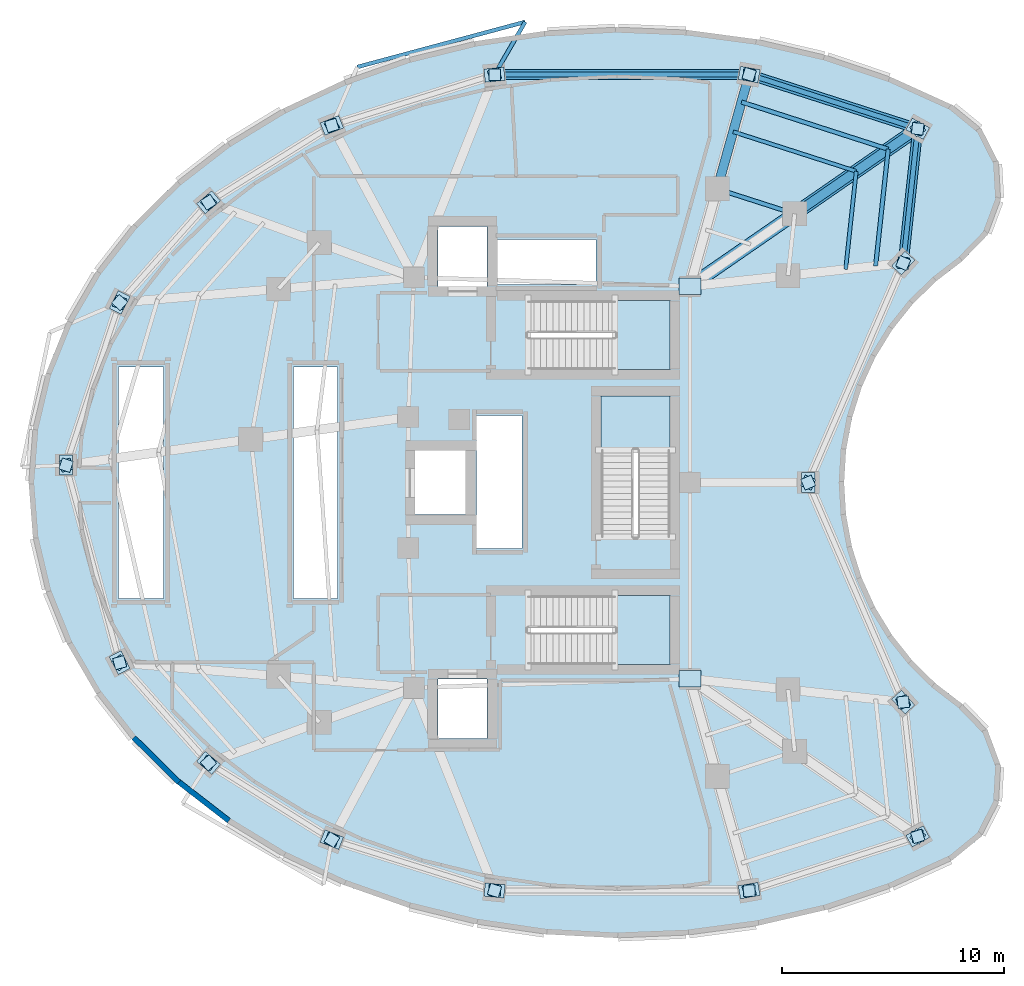
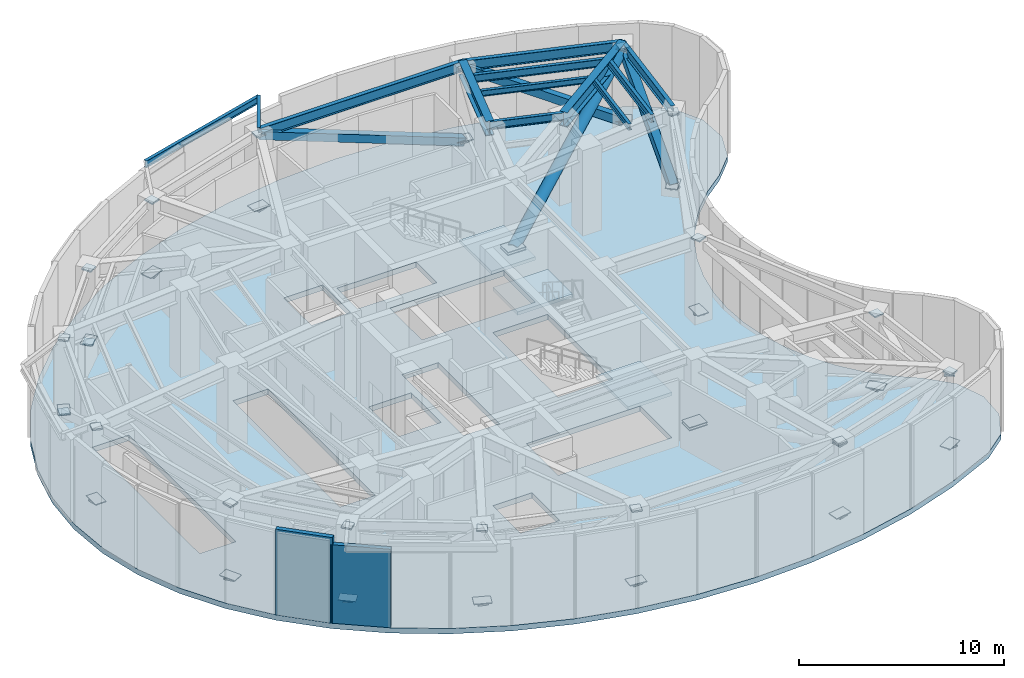
# One storey, part 3 of 10: 56 plates, 12 beams, 4 members, 4 slabs, 2 walls, 3 elements without a shape of their own.
"""IFC4 building model written with IfcOpenShell, lengths in metres."""

from ifc_helpers import new_model, si_unit, direction, frame, frame_2d, origin, origin_2d, place, context, subcontext, project, spatial, polyline, rectangle, hollow_rectangle, hollow_circle, i_section, outline, extrude, material, layer, layer_set, material_profile, profile_set, type_object, element, aggregate, save


model = new_model("IFC4")

# Units and contexts
model_context = context("Model", 3, precision=1e-05, world=origin(), true_north=direction((0.0, 1.0)))
body_context = subcontext(model_context, "Body", "Model", "MODEL_VIEW")
ifc_project = project(units=[si_unit("LENGTHUNIT", "METRE"), si_unit("AREAUNIT", "SQUARE_METRE"), si_unit("VOLUMEUNIT", "CUBIC_METRE"), si_unit("PLANEANGLEUNIT", "RADIAN"), si_unit("MASSUNIT", "GRAM", prefix="KILO")], contexts=[model_context])

# Site, building, storey
site_placement = place(None, origin())
site = spatial("IfcSite", under=ifc_project, at=site_placement, CompositionType="ELEMENT")
building_placement = place(site_placement, origin())
building = spatial("IfcBuilding", under=site, at=building_placement, Name="Korentha Bioscience Tower", CompositionType="ELEMENT")
storey_placement = place(building_placement, frame((0.0, 0.0, 148.800048828125)))
storey = spatial("IfcBuildingStorey", under=building, at=storey_placement, Name="L34", CompositionType="ELEMENT", Elevation=148.800048828125)

# Members
ifc_material_1 = material(Name="Steel S355", Category="steel")
ifc_material_profile_1 = material_profile(ifc_material_1, hollow_rectangle(XDim=0.449951171875, YDim=0.449951171875, WallThickness=0.02490234375, at=origin_2d()), Name="Steel S355")
ifc_profile_set_1 = profile_set([ifc_material_profile_1], Name="Steel S355 (BT-D450)")
member_type_1 = type_object("IfcMemberType", Name="Belt-Truss Web Diagonal SHS 450x450x25", PredefinedType="BRACE", material=ifc_profile_set_1)
member_1_placement = place(storey_placement, frame((47.821044921875, 42.95263671875, 0.349853515625), z_axis=(-0.833745069806, 0.268049749707, 0.482719887986), x_axis=(-0.306071547228, -0.952008512555, 0.0)))
element("IfcMember", 1, at=member_1_placement, inside=storey, type_object=member_type_1, Name="L34 Perimeter Belt-Truss Diagonal 01", PredefinedType="BRACE", context=body_context, shape_type="SweptSolid", body=[
    extrude(hollow_rectangle(XDim=0.449951171875, YDim=0.449951171875, WallThickness=0.02490234375, at=origin_2d()), origin(), (0.0, 0.0, 1.0), 9.115234375),
])
member_2_placement = place(storey_placement, frame((40.22119140625, 45.39599609375, 0.349853515625), z_axis=(-0.933777758874, -0.000456673296, 0.357853166093), x_axis=(0.000489059883, -0.99999988041, 0.0)))
element("IfcMember", 2, at=member_2_placement, inside=storey, type_object=member_type_1, Name="L34 Perimeter Belt-Truss Diagonal 02", PredefinedType="BRACE", context=body_context, shape_type="SweptSolid", body=[
    extrude(hollow_rectangle(XDim=0.449951171875, YDim=0.449951171875, WallThickness=0.02490234375, at=origin_2d()), origin(), (0.0, 0.0, 1.0), 12.2958984375),
])
member_3_placement = place(storey_placement, frame((47.16748046875, 36.89794921875, 0.349853515625), z_axis=(0.086989210422, 0.805876884003, 0.585658027435), x_axis=(-0.994224517574, 0.10732012232, 0.0)))
element("IfcMember", 3, at=member_3_placement, inside=storey, type_object=member_type_1, Name="L34 Perimeter Belt-Truss Diagonal 16", PredefinedType="BRACE", context=body_context, shape_type="SweptSolid", body=[
    extrude(hollow_rectangle(XDim=0.449951171875, YDim=0.449951171875, WallThickness=0.02490234375, at=origin_2d()), origin(), (0.0, 0.0, 1.0), 7.51318359375),
])

# Beam
ifc_material_profile_2 = material_profile(ifc_material_1, i_section(OverallWidth=0.18994140625, OverallDepth=0.45703125, WebThickness=0.009033203125, FlangeThickness=0.014404296875, at=origin_2d()), Name="Steel S355")
ifc_profile_set_2 = profile_set([ifc_material_profile_2], Name="Steel S355 (MB-460)")
beam_type_1 = type_object("IfcBeamType", Name="Mid-Ring Tie Girder W460x74", PredefinedType="BEAM", material=ifc_profile_set_2)
beam_1_placement = place(storey_placement, frame((42.274658203125, 39.1171875, 4.871337890625), z_axis=(-0.952000195343, 0.306097415976, 0.0), x_axis=(-0.306097415976, -0.952000195343, 0.0)))
element("IfcBeam", 4, at=beam_1_placement, inside=storey, type_object=beam_type_1, Name="L34 Mid-Ring Tie Girder 01", PredefinedType="BEAM", context=body_context, shape_type="SweptSolid", body=[
    extrude(i_section(OverallWidth=0.18994140625, OverallDepth=0.45703125, WebThickness=0.009033203125, FlangeThickness=0.014404296875, at=origin_2d()), origin(), (0.0, 0.0, 1.0), 3.672119140625),
])

# Member
ifc_material_profile_3 = material_profile(ifc_material_1, hollow_circle(Radius=0.304931640625, WallThickness=0.030029296875, at=origin_2d()), Name="Steel S355")
ifc_profile_set_3 = profile_set([ifc_material_profile_3], Name="Steel S355 (OU-610)")
member_type_2 = type_object("IfcMemberType", Name="Outrigger Diagonal Brace CHS 610x30", PredefinedType="USERDEFINED", material=ifc_profile_set_3)
member_4_placement = place(storey_placement, frame((37.550048828125, 35.85009765625, 0.599853515625), z_axis=(0.782377945958, 0.541025414876, 0.308506483135), x_axis=(-0.568768676895, 0.822497533238, 0.0)))
element("IfcMember", 5, at=member_4_placement, inside=storey, type_object=member_type_2, Name="L34 Outrigger Truss Diagonal 01", ObjectType="OUTRIGGER", PredefinedType="USERDEFINED", context=body_context, shape_type="SweptSolid", body=[
    extrude(hollow_circle(Radius=0.304931640625, WallThickness=0.030029296875, at=origin_2d()), origin(), (0.0, 0.0, 1.0), 13.1279296875),
])

# Beams
ifc_material_profile_4 = material_profile(ifc_material_1, i_section(OverallWidth=0.22802734375, OverallDepth=0.60791015625, WebThickness=0.01123046875, FlangeThickness=0.017333984375, at=origin_2d()), Name="Steel S355")
ifc_profile_set_4 = profile_set([ifc_material_profile_4], Name="Steel S355 (SB-610)")
beam_type_2 = type_object("IfcBeamType", Name="Perimeter Ring Spandrel Girder W610x113", PredefinedType="SPANDREL", material=ifc_profile_set_4)
beam_2_placement = place(storey_placement, frame((47.821044921875, 42.95263671875, 4.7958984375), z_axis=(-0.952008512555, 0.306071547228, 0.0), x_axis=(-0.306071547228, -0.952008512555, 0.0)))
element("IfcBeam", 6, at=beam_2_placement, inside=storey, type_object=beam_type_2, Name="L34 Perimeter Spandrel Girder 01", PredefinedType="SPANDREL", context=body_context, shape_type="SweptSolid", body=[
    extrude(i_section(OverallWidth=0.22802734375, OverallDepth=0.60791015625, WebThickness=0.01123046875, FlangeThickness=0.017333984375, at=origin_2d()), origin(), (0.0, 0.0, 1.0), 7.98291015625),
])
beam_3_placement = place(storey_placement, frame((40.22119140625, 45.39599609375, 4.7958984375), z_axis=(-0.99999988041, -0.000489059883, 0.0), x_axis=(0.000489059883, -0.99999988041, 0.0)))
element("IfcBeam", 7, at=beam_3_placement, inside=storey, type_object=beam_type_2, Name="L34 Perimeter Spandrel Girder 02", PredefinedType="SPANDREL", context=body_context, shape_type="SweptSolid", body=[
    extrude(i_section(OverallWidth=0.22802734375, OverallDepth=0.60791015625, WebThickness=0.01123046875, FlangeThickness=0.017333984375, at=origin_2d()), origin(), (0.0, 0.0, 1.0), 11.481689453125),
])
beam_4_placement = place(storey_placement, frame((47.16748046875, 36.89794921875, 4.7958984375), z_axis=(0.10732012232, 0.994224517574, 0.0), x_axis=(-0.994224517574, 0.10732012232, 0.0)))
element("IfcBeam", 8, at=beam_4_placement, inside=storey, type_object=beam_type_2, Name="L34 Perimeter Spandrel Girder 16", PredefinedType="SPANDREL", context=body_context, shape_type="SweptSolid", body=[
    extrude(i_section(OverallWidth=0.22802734375, OverallDepth=0.60791015625, WebThickness=0.01123046875, FlangeThickness=0.017333984375, at=origin_2d()), origin(), (0.0, 0.0, 1.0), 6.08984375),
])
ifc_material_profile_5 = material_profile(ifc_material_1, i_section(OverallWidth=0.419921875, OverallDepth=0.85009765625, WebThickness=0.01806640625, FlangeThickness=0.031982421875, at=origin_2d()), Name="Steel S355")
ifc_profile_set_5 = profile_set([ifc_material_profile_5], Name="Steel S355 (MB-850)")
beam_type_3 = type_object("IfcBeamType", Name="Plant Heavy Girder CVS 850x315", PredefinedType="BEAM", material=ifc_profile_set_5)
beam_5_placement = place(storey_placement, frame((42.274658203125, 39.1171875, 4.675048828125), z_axis=(0.822494455845, 0.568773127094, 0.0), x_axis=(-0.568773127094, 0.822494455845, 0.0)))
element("IfcBeam", 9, at=beam_5_placement, inside=storey, type_object=beam_type_3, Name="L34 Outer Radial Girder 01", PredefinedType="BEAM", context=body_context, shape_type="SweptSolid", body=[
    extrude(i_section(OverallWidth=0.419921875, OverallDepth=0.85009765625, WebThickness=0.01806640625, FlangeThickness=0.031982421875, at=origin_2d()), origin(), (0.0, 0.0, 1.0), 6.743408203125),
])
beam_6_placement = place(storey_placement, frame((38.77880859375, 40.2412109375, 4.675048828125), z_axis=(0.269464128344, 0.963010427532, 0.0), x_axis=(-0.963010427532, 0.269464128344, 0.0)))
element("IfcBeam", 10, at=beam_6_placement, inside=storey, type_object=beam_type_3, Name="L34 Outer Radial Girder 02", PredefinedType="BEAM", context=body_context, shape_type="SweptSolid", body=[
    extrude(i_section(OverallWidth=0.419921875, OverallDepth=0.85009765625, WebThickness=0.01806640625, FlangeThickness=0.031982421875, at=origin_2d()), origin(), (0.0, 0.0, 1.0), 5.352783203125),
])
ifc_material_profile_6 = material_profile(ifc_material_1, i_section(OverallWidth=0.18994140625, OverallDepth=0.45703125, WebThickness=0.009033203125, FlangeThickness=0.014404296875, at=origin_2d()), Name="Steel S355")
ifc_profile_set_6 = profile_set([ifc_material_profile_6], Name="Steel S355 (RB-460)")
beam_type_4 = type_object("IfcBeamType", Name="Radial Laboratory Beam W460x74", PredefinedType="BEAM", material=ifc_profile_set_6)
beam_7_placement = place(storey_placement, frame((46.489990234375, 42.031982421875, 4.871337890625), z_axis=(-0.952009183817, 0.306069459318, 0.0), x_axis=(-0.306069459318, -0.952009183817, 0.0)))
element("IfcBeam", 11, at=beam_7_placement, inside=storey, type_object=beam_type_4, Name="L34 Secondary Floor Beam JSTO-01", PredefinedType="BEAM", context=body_context, shape_type="SweptSolid", body=[
    extrude(i_section(OverallWidth=0.18994140625, OverallDepth=0.45703125, WebThickness=0.009033203125, FlangeThickness=0.014404296875, at=origin_2d()), origin(), (0.0, 0.0, 1.0), 6.948486328125),
])
beam_8_placement = place(storey_placement, frame((45.921142578125, 36.76220703125, 4.871337890625), z_axis=(0.107321875607, 0.994224328316, 0.0), x_axis=(-0.994224328316, 0.107321875607, 0.0)))
element("IfcBeam", 12, at=beam_8_placement, inside=storey, type_object=beam_type_4, Name="L34 Secondary Floor Beam JSTO-16", PredefinedType="BEAM", context=body_context, shape_type="SweptSolid", body=[
    extrude(i_section(OverallWidth=0.18994140625, OverallDepth=0.45703125, WebThickness=0.009033203125, FlangeThickness=0.014404296875, at=origin_2d()), origin(), (0.0, 0.0, 1.0), 5.30029296875),
])
ifc_material_profile_7 = material_profile(ifc_material_1, i_section(OverallWidth=0.1708984375, OverallDepth=0.35498046875, WebThickness=0.007080078125, FlangeThickness=0.01171875, at=origin_2d()), Name="Steel S355")
ifc_profile_set_7 = profile_set([ifc_material_profile_7], Name="Steel S355 (JB-360)")
beam_type_5 = type_object("IfcBeamType", Name="Secondary Laboratory Joist W360x51", PredefinedType="JOIST", material=ifc_profile_set_7)
beam_9_placement = place(storey_placement, frame((45.0478515625, 41.034912109375, 4.92236328125), z_axis=(-0.952005892166, 0.306079697596, 0.0), x_axis=(-0.306079697596, -0.952005892166, 0.0)))
element("IfcBeam", 13, at=beam_9_placement, inside=storey, type_object=beam_type_5, Name="L34 Secondary Floor Beam JST-01", PredefinedType="JOIST", context=body_context, shape_type="SweptSolid", body=[
    extrude(i_section(OverallWidth=0.1708984375, OverallDepth=0.35498046875, WebThickness=0.007080078125, FlangeThickness=0.01171875, at=origin_2d()), origin(), (0.0, 0.0, 1.0), 5.82763671875),
])
beam_10_placement = place(storey_placement, frame((44.57080078125, 36.614990234375, 4.92236328125), z_axis=(0.107308722475, 0.994225748048, 0.0), x_axis=(-0.994225748048, 0.107308722475, 0.0)))
element("IfcBeam", 14, at=beam_10_placement, inside=storey, type_object=beam_type_5, Name="L34 Secondary Floor Beam JST-16", PredefinedType="JOIST", context=body_context, shape_type="SweptSolid", body=[
    extrude(i_section(OverallWidth=0.1708984375, OverallDepth=0.35498046875, WebThickness=0.007080078125, FlangeThickness=0.01171875, at=origin_2d()), origin(), (0.0, 0.0, 1.0), 4.445556640625),
])
ifc_material_profile_8 = material_profile(ifc_material_1, i_section(OverallWidth=0.177978515625, OverallDepth=0.406982421875, WebThickness=0.0078125, FlangeThickness=0.0126953125, at=origin_2d()), Name="Steel S355")
ifc_profile_set_8 = profile_set([ifc_material_profile_8], Name="Steel S355 (CB-410)")
beam_type_6 = type_object("IfcBeamType", Name="Sun-Ledge Cantilever Beam W410x60", PredefinedType="BEAM", material=ifc_profile_set_8)
beam_11_placement = place(storey_placement, frame((28.739501953125, 45.390380859375, 4.8984375), z_axis=(0.502315224283, 0.8646845757, 0.0), x_axis=(-0.8646845757, 0.502315224283, 0.0)))
element("IfcBeam", 15, at=beam_11_placement, inside=storey, type_object=beam_type_6, Name="L34 Balcony Cantilever Bracket A-L35-01", PredefinedType="BEAM", context=body_context, shape_type="SweptSolid", body=[
    extrude(i_section(OverallWidth=0.177978515625, OverallDepth=0.406982421875, WebThickness=0.0078125, FlangeThickness=0.0126953125, at=origin_2d()), origin(), (0.0, 0.0, 1.0), 2.7529296875),
])
beam_12_placement = place(storey_placement, frame((30.122314453125, 47.770751953125, 4.8984375), z_axis=(-0.965767136539, -0.259410558731, 0.0), x_axis=(0.259410558731, -0.965767136539, 0.0)))
element("IfcBeam", 16, at=beam_12_placement, inside=storey, type_object=beam_type_6, Name="L34 Balcony Edge Trimmer Beam L35-01", PredefinedType="BEAM", context=body_context, shape_type="SweptSolid", body=[
    extrude(i_section(OverallWidth=0.177978515625, OverallDepth=0.406982421875, WebThickness=0.0078125, FlangeThickness=0.0126953125, at=origin_2d()), origin(), (0.0, 0.0, 1.0), 7.839599609375),
])

# Plates
ifc_layer_1 = layer(ifc_material_1, 0.031982421875, Name="Steel S355")
ifc_layer_set_1 = layer_set([ifc_layer_1], Name="Steel S355 (KN-01)")
plate_type_1 = type_object("IfcPlateType", Name="Belt-Truss Kink Gusset Plate 900x600x32", PredefinedType="USERDEFINED", material=ifc_layer_set_1)
for number, where, z_axis, x_axis, name in (
    (17, (47.821044921875, 42.95263671875, 0.43408203125), (0.0, 0.0, 1.0), (-0.874535078577, 0.484962262797, 0.0), "L34 Belt-Truss Kink Node Gusset KN-01"),
    (18, (40.22119140625, 45.39599609375, 0.43408203125), (0.0, 0.0, 1.0), (-0.984868307662, 0.173304404339, 0.0), "L34 Belt-Truss Kink Node Gusset KN-02"),
    (19, (28.739501953125, 45.390380859375, 0.43408203125), (0.0, 0.0, 1.0), (0.995462868748, 0.095150811579, 0.0), "L34 Belt-Truss Kink Node Gusset KN-03"),
    (20, (21.405517578125, 43.102783203125, 0.43408203125), (0.0, 0.0, 1.0), (0.930225540858, 0.366988341962, 0.0), "L34 Belt-Truss Kink Node Gusset KN-04"),
    (21, (15.843994140625, 39.63671875, 0.43408203125), (0.0, 0.0, 1.0), (0.764246456939, 0.644924300253, 0.0), "L34 Belt-Truss Kink Node Gusset KN-05"),
    (22, (11.837890625, 35.119384765625, 0.43408203125), (0.0, 0.0, 1.0), (0.453057191132, 0.891481453292, 0.0), "L34 Belt-Truss Kink Node Gusset KN-06"),
    (23, (9.422607421875, 27.785888671875, 0.43408203125), (0.0, 0.0, 1.0), (0.0, 1.0, 0.0), "L34 Belt-Truss Kink Node Gusset KN-07"),
    (24, (11.837890625, 18.880615234375, 0.43408203125), (0.0, 0.0, 1.0), (-0.453057191132, 0.891481453292, 0.0), "L34 Belt-Truss Kink Node Gusset KN-08"),
    (25, (15.843994140625, 14.36328125, 0.43408203125), (0.0, 0.0, 1.0), (-0.764246456939, 0.644924300253, 0.0), "L34 Belt-Truss Kink Node Gusset KN-09"),
    (26, (21.405517578125, 10.897216796875, 0.43408203125), (0.0, 0.0, 1.0), (-0.930225540858, 0.366988341962, 0.0), "L34 Belt-Truss Kink Node Gusset KN-10"),
    (27, (28.739501953125, 8.609619140625, 0.43408203125), (0.0, 0.0, 1.0), (-0.995462868748, 0.095150811579, 0.0), "L34 Belt-Truss Kink Node Gusset KN-11"),
    (28, (40.22119140625, 8.60400390625, 0.43408203125), (0.0, 0.0, 1.0), (0.984868307662, 0.173304404339, 0.0), "L34 Belt-Truss Kink Node Gusset KN-12"),
    (29, (47.821044921875, 11.04736328125, 0.43408203125), (0.0, 0.0, 1.0), (0.874535078577, 0.484962262797, 0.0), "L34 Belt-Truss Kink Node Gusset KN-13"),
    (30, (47.16748046875, 17.10205078125, 0.43408203125), (0.0, 0.0, 1.0), (-0.669130606359, 0.743144825477, 0.0), "L34 Belt-Truss Kink Node Gusset KN-14"),
    (31, (42.8818359375, 27.0, 0.43408203125), (0.0, 0.0, 1.0), (0.0, 1.0, 0.0), "L34 Belt-Truss Kink Node Gusset KN-15"),
    (32, (47.16748046875, 36.89794921875, 0.43408203125), (0.0, 0.0, 1.0), (0.669130606359, 0.743144825477, 0.0), "L34 Belt-Truss Kink Node Gusset KN-16"),
):
    element("IfcPlate", number, at=place(storey_placement, frame(where, z_axis=z_axis, x_axis=x_axis)), inside=storey, type_object=plate_type_1, Name=name, ObjectType="GUSSET_PLATE", PredefinedType="USERDEFINED", context=body_context, shape_type="SweptSolid", body=[
        extrude(rectangle(XDim=0.89990234375, YDim=0.60009765625, at=origin_2d()), origin(), (0.0, 0.0, 1.0), 0.031982421875),
    ])
ifc_layer_2 = layer(ifc_material_1, 0.080078125, Name="Steel S355")
ifc_layer_set_2 = layer_set([ifc_layer_2], Name="Steel S355 (CP-01)")
plate_type_2 = type_object("IfcPlateType", Name="Hollow Section End Cap Plate 520x520x80", PredefinedType="USERDEFINED", material=ifc_layer_set_2)
for number, where, z_axis, x_axis, name in (
    (33, (47.821044921875, 42.95263671875, 0.309814453125), (0.0, 0.0, 1.0), (-0.952022626946, 0.306027642189, 0.0), "L34 Belt-Truss 01 End Cap 1"),
    (34, (40.22119140625, 45.39599609375, 4.7099609375), (0.0, 0.0, 1.0), (-0.952022626946, 0.306027642189, 0.0), "L34 Belt-Truss 01 End Cap 2"),
    (35, (40.22119140625, 45.39599609375, 0.309814453125), (0.0, 0.0, 1.0), (0.999999862922, 0.000523598752, 0.0), "L34 Belt-Truss 02 End Cap 1"),
    (36, (28.739501953125, 45.390380859375, 4.7099609375), (0.0, 0.0, 1.0), (0.999999862922, 0.000523598752, 0.0), "L34 Belt-Truss 02 End Cap 2"),
    (37, (28.739501953125, 45.390380859375, 0.309814453125), (0.0, 0.0, 1.0), (0.954656937924, 0.297708130344, 0.0), "L34 Belt-Truss 03 End Cap 1"),
    (38, (21.405517578125, 43.102783203125, 4.7099609375), (0.0, 0.0, 1.0), (0.954656937924, 0.297708130344, 0.0), "L34 Belt-Truss 03 End Cap 2"),
    (39, (21.405517578125, 43.102783203125, 0.309814453125), (0.0, 0.0, 1.0), (0.848694881602, 0.528882782801, 0.0), "L34 Belt-Truss 04 End Cap 1"),
    (40, (15.843994140625, 39.63671875, 4.7099609375), (0.0, 0.0, 1.0), (0.848694881602, 0.528882782801, 0.0), "L34 Belt-Truss 04 End Cap 2"),
    (41, (15.843994140625, 39.63671875, 0.309814453125), (0.0, 0.0, 1.0), (0.663534575496, 0.748145618928, 0.0), "L34 Belt-Truss 05 End Cap 1"),
    (42, (11.837890625, 35.119384765625, 4.7099609375), (0.0, 0.0, 1.0), (0.663534575496, 0.748145618928, 0.0), "L34 Belt-Truss 05 End Cap 2"),
    (43, (11.837890625, 35.119384765625, 0.309814453125), (0.0, 0.0, 1.0), (0.312832279878, 0.949808383131, 0.0), "L34 Belt-Truss 06 End Cap 1"),
    (44, (9.422607421875, 27.785888671875, 4.7099609375), (0.0, 0.0, 1.0), (0.312832279878, 0.949808383131, 0.0), "L34 Belt-Truss 06 End Cap 2"),
    (45, (9.422607421875, 27.785888671875, 0.309814453125), (0.0, 0.0, 1.0), (-0.261683861269, 0.965153644117, 0.0), "L34 Belt-Truss 07 End Cap 1"),
    (46, (11.837890625, 18.880615234375, 4.7099609375), (0.0, 0.0, 1.0), (-0.261683861269, 0.965153644117, 0.0), "L34 Belt-Truss 07 End Cap 2"),
    (47, (11.837890625, 18.880615234375, 0.309814453125), (0.0, 0.0, 1.0), (-0.663534575496, 0.748145618928, 0.0), "L34 Belt-Truss 08 End Cap 1"),
    (48, (15.843994140625, 14.36328125, 4.7099609375), (0.0, 0.0, 1.0), (-0.663534575496, 0.748145618928, 0.0), "L34 Belt-Truss 08 End Cap 2"),
    (49, (15.843994140625, 14.36328125, 0.309814453125), (0.0, 0.0, 1.0), (-0.848694881602, 0.528882782801, 0.0), "L34 Belt-Truss 09 End Cap 1"),
    (50, (21.405517578125, 10.897216796875, 4.7099609375), (0.0, 0.0, 1.0), (-0.848694881602, 0.528882782801, 0.0), "L34 Belt-Truss 09 End Cap 2"),
    (51, (21.405517578125, 10.897216796875, 0.309814453125), (0.0, 0.0, 1.0), (-0.954656937924, 0.297708130344, 0.0), "L34 Belt-Truss 10 End Cap 1"),
    (52, (28.739501953125, 8.609619140625, 4.7099609375), (0.0, 0.0, 1.0), (-0.954656937924, 0.297708130344, 0.0), "L34 Belt-Truss 10 End Cap 2"),
    (53, (28.739501953125, 8.609619140625, 0.309814453125), (0.0, 0.0, 1.0), (-0.999999862922, 0.000523598752, 0.0), "L34 Belt-Truss 11 End Cap 1"),
    (54, (40.22119140625, 8.60400390625, 4.7099609375), (0.0, 0.0, 1.0), (-0.999999862922, 0.000523598752, 0.0), "L34 Belt-Truss 11 End Cap 2"),
    (55, (40.22119140625, 8.60400390625, 0.309814453125), (0.0, 0.0, 1.0), (0.952022626946, 0.306027642189, 0.0), "L34 Belt-Truss 12 End Cap 1"),
    (56, (47.821044921875, 11.04736328125, 4.7099609375), (0.0, 0.0, 1.0), (0.952022626946, 0.306027642189, 0.0), "L34 Belt-Truss 12 End Cap 2"),
    (57, (47.821044921875, 11.04736328125, 0.309814453125), (0.0, 0.0, 1.0), (-0.10730528114, 0.994226119472, 0.0), "L34 Belt-Truss 13 End Cap 1"),
    (58, (47.16748046875, 17.10205078125, 4.7099609375), (0.0, 0.0, 1.0), (-0.10730528114, 0.994226119472, 0.0), "L34 Belt-Truss 13 End Cap 2"),
    (59, (47.16748046875, 17.10205078125, 0.309814453125), (0.0, 0.0, 1.0), (-0.397308062984, 0.917685296323, 0.0), "L34 Belt-Truss 14 End Cap 1"),
    (60, (42.8818359375, 27.0, 4.7099609375), (0.0, 0.0, 1.0), (-0.397308062984, 0.917685296323, 0.0), "L34 Belt-Truss 14 End Cap 2"),
    (61, (42.8818359375, 27.0, 0.309814453125), (0.0, 0.0, 1.0), (0.397308062984, 0.917685296323, 0.0), "L34 Belt-Truss 15 End Cap 1"),
    (62, (47.16748046875, 36.89794921875, 4.7099609375), (0.0, 0.0, 1.0), (0.397308062984, 0.917685296323, 0.0), "L34 Belt-Truss 15 End Cap 2"),
    (63, (47.16748046875, 36.89794921875, 0.309814453125), (0.0, 0.0, 1.0), (0.10730528114, 0.994226119472, 0.0), "L34 Belt-Truss 16 End Cap 1"),
    (64, (47.821044921875, 42.95263671875, 4.7099609375), (0.0, 0.0, 1.0), (0.10730528114, 0.994226119472, 0.0), "L34 Belt-Truss 16 End Cap 2"),
    (65, (47.821044921875, 42.95263671875, 4.60986328125), (0.0, 0.0, 1.0), (0.822541272729, 0.56870541993, 0.0), "L34 Outrigger 01 End Cap 2"),
    (66, (40.22119140625, 45.39599609375, 4.60986328125), (0.0, 0.0, 1.0), (0.26942409447, 0.963021628687, 0.0), "L34 Outrigger 02 End Cap 2"),
    (67, (40.22119140625, 8.60400390625, 4.60986328125), (0.0, 0.0, 1.0), (-0.26942409447, 0.963021628687, 0.0), "L34 Outrigger 03 End Cap 2"),
    (68, (47.821044921875, 11.04736328125, 4.60986328125), (0.0, 0.0, 1.0), (-0.822541272729, 0.56870541993, 0.0), "L34 Outrigger 04 End Cap 2"),
):
    element("IfcPlate", number, at=place(storey_placement, frame(where, z_axis=z_axis, x_axis=x_axis)), inside=storey, type_object=plate_type_2, Name=name, ObjectType="CAP_PLATE", PredefinedType="USERDEFINED", context=body_context, shape_type="SweptSolid", body=[
        extrude(rectangle(XDim=0.52001953125, YDim=0.52001953125, at=origin_2d()), origin(), (0.0, 0.0, 1.0), 0.080078125),
    ])

# Stair, slab
ifc_material_2 = material(Name="Precast Concrete C50", Category="concrete")
stair_type = type_object("IfcStairType", Name="Core Exit Dog-Leg Stair 1450", PredefinedType="HALF_TURN_STAIR", material=ifc_material_2)
stair_1_placement = place(storey_placement, origin())
stair_1 = element("IfcStair", 69, at=stair_1_placement, inside=storey, type_object=stair_type, Name="L34 Tower North Pressurized Exit Stair ST-1", PredefinedType="HALF_TURN_STAIR")
ifc_material_3 = material(Name="Concrete C50", Category="concrete")
ifc_layer_3 = layer(ifc_material_3, 0.199951171875, Name="Concrete C50")
ifc_layer_set_3 = layer_set([ifc_layer_3], Name="Concrete C50 (SL-LND)")
slab_type_1 = type_object("IfcSlabType", Name="Landing Slab 200", PredefinedType="LANDING", material=ifc_layer_set_3)
slab_1_placement = place(storey_placement, frame((0.0, 0.0, 2.5)))
slab_1 = element("IfcSlab", 70, at=slab_1_placement, type_object=slab_type_1, Name="ST-1 landing 1", PredefinedType="LANDING", context=body_context, shape_type="SweptSolid", body=[
    extrude(outline(polyline([(34.169921875, 32.10009765625), (36.64990234375, 32.10009765625), (36.64990234375, 35.199951171875), (34.169921875, 35.199951171875), (34.169921875, 32.10009765625)])), origin(), (0.0, 0.0, 1.0), 0.199951171875),
])
aggregate(stair_1, [slab_1])

stair_2_placement = place(storey_placement, origin())
stair_2 = element("IfcStair", 71, at=stair_2_placement, inside=storey, type_object=stair_type, Name="L34 Tower South Pressurized Exit Stair ST-2", PredefinedType="HALF_TURN_STAIR")
slab_2_placement = place(storey_placement, frame((0.0, 0.0, 2.5)))
slab_2 = element("IfcSlab", 72, at=slab_2_placement, type_object=slab_type_1, Name="ST-2 landing 1", PredefinedType="LANDING", context=body_context, shape_type="SweptSolid", body=[
    extrude(outline(polyline([(34.169921875, 18.800048828125), (36.64990234375, 18.800048828125), (36.64990234375, 21.89990234375), (34.169921875, 21.89990234375), (34.169921875, 18.800048828125)])), origin(), (0.0, 0.0, 1.0), 0.199951171875),
])
aggregate(stair_2, [slab_2])

stair_3_placement = place(storey_placement, origin())
stair_3 = element("IfcStair", 73, at=stair_3_placement, inside=storey, type_object=stair_type, Name="L34 Tower Central Pressurized Exit Stair ST-3", PredefinedType="HALF_TURN_STAIR")
slab_3_placement = place(storey_placement, frame((0.0, 0.0, 2.5)))
slab_3 = element("IfcSlab", 74, at=slab_3_placement, type_object=slab_type_1, Name="ST-3 landing 1", PredefinedType="LANDING", context=body_context, shape_type="SweptSolid", body=[
    extrude(outline(polyline([(36.64990234375, 28.469970703125), (36.64990234375, 30.89990234375), (33.550048828125, 30.89990234375), (33.550048828125, 28.469970703125), (36.64990234375, 28.469970703125)])), origin(), (0.0, 0.0, 1.0), 0.199951171875),
])
aggregate(stair_3, [slab_3])

# Slab
ifc_layer_4 = layer(ifc_material_3, 0.320068359375, Name="Concrete C50")
ifc_layer_set_4 = layer_set([ifc_layer_4], Name="Concrete C50 (SL-M320)")
slab_type_2 = type_object("IfcSlabType", Name="Mechanical Plant Heavy Slab 320", PredefinedType="FLOOR", material=ifc_layer_set_4)
slab_4_placement = place(storey_placement, frame((0.0, 0.0, -0.320068359375)))
element("IfcSlab", 75, at=slab_4_placement, inside=storey, type_object=slab_type_2, Name="L34 Tower Structural Floor Slab", PredefinedType="FLOOR", context=body_context, shape_type="SweptSolid", body=[
    extrude(outline(polyline([(49.38525390625, 44.021728515625), (46.62109375, 45.27587890625), (43.681396484375, 46.266357421875), (40.608154296875, 46.978515625), (37.446044921875, 47.40234375), (34.24072265625, 47.531494140625), (31.038330078125, 47.364013671875), (27.88525390625, 46.902587890625), (24.826904296875, 46.154052734375), (21.907470703125, 45.128662109375), (19.169189453125, 43.841552734375), (16.6513671875, 42.311279296875), (14.390380859375, 40.56005859375), (12.419189453125, 38.613037109375), (10.76611328125, 36.498291015625), (9.454833984375, 34.246337890625), (8.504638671875, 31.889892578125), (7.9287109375, 29.462646484375), (7.736083984375, 27.0), (7.9287109375, 24.537353515625), (8.504638671875, 22.110107421875), (9.454833984375, 19.753662109375), (10.76611328125, 17.501708984375), (12.419189453125, 15.386962890625), (14.390380859375, 13.43994140625), (16.6513671875, 11.688720703125), (19.169189453125, 10.158447265625), (21.907470703125, 8.871337890625), (24.826904296875, 7.845947265625), (27.88525390625, 7.097412109375), (31.038330078125, 6.635986328125), (34.24072265625, 6.468505859375), (37.446044921875, 6.59765625), (40.608154296875, 7.021484375), (43.681396484375, 7.733642578125), (46.62109375, 8.72412109375), (49.38525390625, 9.978271484375), (50.695068359375, 11.048828125), (51.46337890625, 12.55615234375), (51.560791015625, 14.2451171875), (50.970458984375, 15.83056640625), (49.792236328125, 17.044677734375), (48.629150390625, 17.937255859375), (47.583251953125, 18.96484375), (46.670654296875, 20.1123046875), (45.904541015625, 21.3623046875), (45.29638671875, 22.696533203125), (44.855712890625, 24.094970703125), (44.58837890625, 25.53662109375), (44.498779296875, 27.0), (44.58837890625, 28.46337890625), (44.855712890625, 29.905029296875), (45.29638671875, 31.303466796875), (45.904541015625, 32.6376953125), (46.670654296875, 33.8876953125), (47.583251953125, 35.03515625), (48.629150390625, 36.062744140625), (49.792236328125, 36.955322265625), (50.970458984375, 38.16943359375), (51.560791015625, 39.7548828125), (51.46337890625, 41.44384765625), (50.695068359375, 42.951171875), (49.38525390625, 44.021728515625)]), holes=[polyline([(30.25, 32.10009765625), (36.64990234375, 32.10009765625), (36.64990234375, 35.199951171875), (30.25, 35.199951171875), (30.25, 32.10009765625)]), polyline([(30.25, 18.800048828125), (36.64990234375, 18.800048828125), (36.64990234375, 21.89990234375), (30.25, 21.89990234375), (30.25, 18.800048828125)]), polyline([(36.64990234375, 24.550048828125), (36.64990234375, 30.89990234375), (33.550048828125, 30.89990234375), (33.550048828125, 24.550048828125), (36.64990234375, 24.550048828125)]), polyline([(11.780029296875, 21.780029296875), (13.820068359375, 21.780029296875), (13.820068359375, 32.219970703125), (11.780029296875, 32.219970703125), (11.780029296875, 21.780029296875)]), polyline([(19.679931640625, 21.780029296875), (21.669921875, 21.780029296875), (21.669921875, 32.219970703125), (19.679931640625, 32.219970703125), (19.679931640625, 21.780029296875)]), polyline([(27.929931640625, 24.030029296875), (29.969970703125, 24.030029296875), (29.969970703125, 30.02001953125), (27.929931640625, 30.02001953125), (27.929931640625, 24.030029296875)]), polyline([(28.860107421875, 35.93994140625), (33.31005859375, 35.93994140625), (33.31005859375, 37.9599609375), (28.860107421875, 37.9599609375), (28.860107421875, 35.93994140625)]), polyline([(26.199951171875, 15.449951171875), (28.39990234375, 15.449951171875), (28.39990234375, 18.14990234375), (26.199951171875, 18.14990234375), (26.199951171875, 15.449951171875)]), polyline([(26.199951171875, 35.85009765625), (28.39990234375, 35.85009765625), (28.39990234375, 38.550048828125), (26.199951171875, 38.550048828125), (26.199951171875, 35.85009765625)]), polyline([(25.14990234375, 25.550048828125), (27.550048828125, 25.550048828125), (27.550048828125, 28.449951171875), (25.14990234375, 28.449951171875), (25.14990234375, 25.550048828125)])]), origin(), (0.0, 0.0, 1.0), 0.320068359375),
])

# Plates
ifc_layer_5 = layer(ifc_material_1, 0.035888671875, Name="Steel S355")
ifc_layer_set_5 = layer_set([ifc_layer_5], Name="Steel S355 (KN-02)")
plate_type_3 = type_object("IfcPlateType", Name="Outrigger Core Node Gusset Plate 1000x750x36", PredefinedType="USERDEFINED", material=ifc_layer_set_5)
for number, where, z_axis, x_axis, name in (
    (76, (37.550048828125, 35.85009765625, 0.58203125), (0.0, 0.0, 1.0), (1.0, 0.0, 0.0), "L34 Outrigger Core Gusset KN-01"),
    (77, (37.550048828125, 35.85009765625, 0.73193359375), (0.0, 0.0, 1.0), (1.0, 0.0, 0.0), "L34 Outrigger Core Gusset KN-02"),
    (78, (37.550048828125, 18.14990234375, 0.8818359375), (0.0, 0.0, 1.0), (1.0, 0.0, 0.0), "L34 Outrigger Core Gusset KN-03"),
    (79, (37.550048828125, 18.14990234375, 1.0322265625), (0.0, 0.0, 1.0), (1.0, 0.0, 0.0), "L34 Outrigger Core Gusset KN-04"),
):
    element("IfcPlate", number, at=place(storey_placement, frame(where, z_axis=z_axis, x_axis=x_axis)), inside=storey, type_object=plate_type_3, Name=name, ObjectType="GUSSET_PLATE", PredefinedType="USERDEFINED", context=body_context, shape_type="SweptSolid", body=[
        extrude(rectangle(XDim=1.0, YDim=0.75, at=origin_2d()), origin(), (0.0, 0.0, 1.0), 0.035888671875),
    ])

# Walls
ifc_material_4 = material(Name="Insulated Precast Concrete C40", Category="concrete")
ifc_layer_6 = layer(ifc_material_4, 0.239990234375, Name="Insulated Precast Concrete C40")
ifc_layer_set_6 = layer_set([ifc_layer_6], Name="Insulated Precast Concrete C40 (EW-PL240)")
wall_type = type_object("IfcWallType", Name="Plant Acoustic Louvre Backup Wall 240", PredefinedType="STANDARD", material=ifc_layer_set_6)
wall_1_placement = place(storey_placement, frame((12.468017578125, 15.507568359375, 0.0), z_axis=(0.0, 0.0, 1.0), x_axis=(0.711430434375, -0.702756527572, 0.0)))
element("IfcWall", 80, at=wall_1_placement, inside=storey, type_object=wall_type, Name="L34 Plant Louvre Backup Wall 24", PredefinedType="STANDARD", context=body_context, shape_type="SweptSolid", body=[
    extrude(rectangle(XDim=2.870849609375, YDim=0.239990234375, at=frame_2d((1.435546875, 0.0))), origin(), (0.0, 0.0, 1.0), 5.099853515625),
])
wall_2_placement = place(storey_placement, frame((14.424560546875, 13.5654296875, 0.0), z_axis=(0.0, 0.0, 1.0), x_axis=(0.790518877524, -0.612437673791, 0.0)))
element("IfcWall", 81, at=wall_2_placement, inside=storey, type_object=wall_type, Name="L34 Plant Louvre Backup Wall 25", PredefinedType="STANDARD", context=body_context, shape_type="SweptSolid", body=[
    extrude(rectangle(XDim=2.9599609375, YDim=0.239990234375, at=frame_2d((1.47998046875, 0.0))), origin(), (0.0, 0.0, 1.0), 4.669921875),
])

save(model, "model.ifc")
